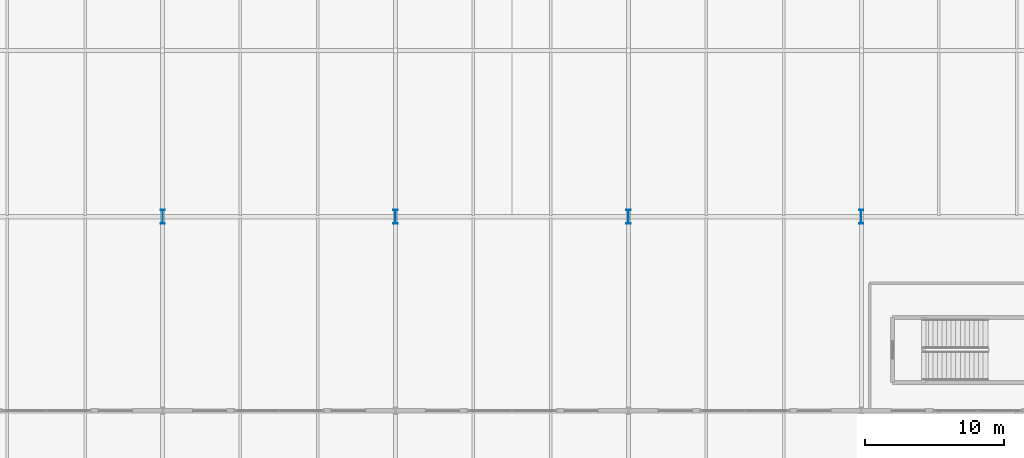
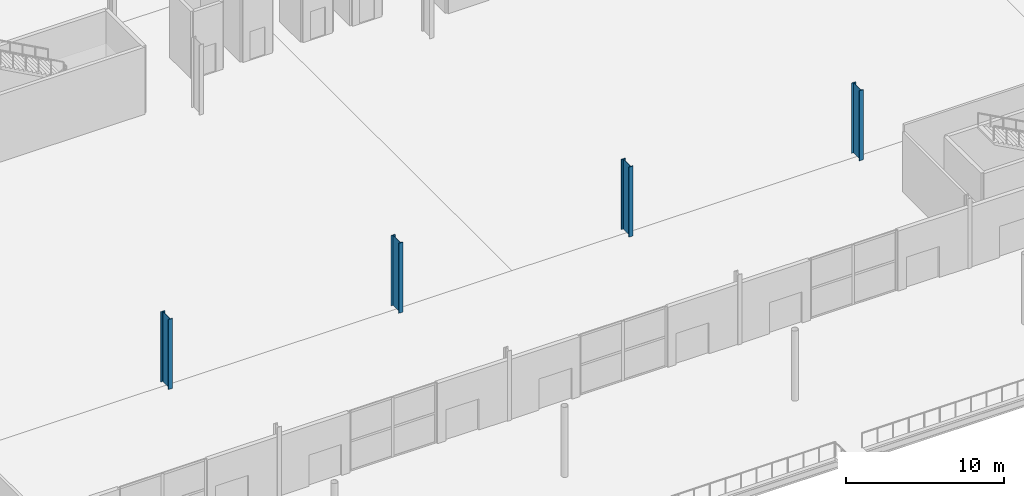
# One storey, part 7 of 87: 4 columns.
"""IFC4 building model written with IfcOpenShell, lengths in metres."""

from ifc_helpers import new_model, si_unit, direction, frame, origin, origin_2d, place, context, subcontext, project, spatial, i_section, extrude, material, material_profile, profile_set, type_object, element, save


model = new_model("IFC4")

# Units and contexts
model_context = context("Model", 3, precision=1e-05, world=origin(), true_north=direction((0.0, 1.0)))
body_context = subcontext(model_context, "Body", "Model", "MODEL_VIEW")
ifc_project = project(units=[si_unit("LENGTHUNIT", "METRE"), si_unit("AREAUNIT", "SQUARE_METRE"), si_unit("VOLUMEUNIT", "CUBIC_METRE"), si_unit("PLANEANGLEUNIT", "RADIAN"), si_unit("MASSUNIT", "GRAM", prefix="KILO")], contexts=[model_context])

# Site, building, storey
site_placement = place(None, origin())
site = spatial("IfcSite", under=ifc_project, at=site_placement, CompositionType="ELEMENT")
building_placement = place(site_placement, origin())
building = spatial("IfcBuilding", under=site, at=building_placement, Name="Kimbaza Rail Terminus", CompositionType="ELEMENT")
storey_placement = place(building_placement, origin())
storey = spatial("IfcBuildingStorey", under=building, at=storey_placement, Name="L00", CompositionType="ELEMENT", Elevation=0.0)

# Columns
ifc_material = material(Name="Steel S355", Category="steel")
ifc_material_profile = material_profile(ifc_material, i_section(OverallWidth=0.302001953125, OverallDepth=1.008056640625, WebThickness=0.02099609375, FlangeThickness=0.0400390625, FilletRadius=0.030029296875, at=origin_2d()), Name="HEM 1000")
ifc_profile_set = profile_set([ifc_material_profile], Name="Steel S355")
column_type = type_object("IfcColumnType", Name="STR-COL-HEM1000", PredefinedType="COLUMN", material=ifc_profile_set)
for number, where, z_axis, x_axis, name in (
    (1, (88.800048828125, 55.0, 0.0), (0.0, 0.0, 1.0), (1.0, 0.0, 0.0), "Ticket Hall Pier L00"),
    (2, (105.60009765625, 55.0, 0.0), (0.0, 0.0, 1.0), (1.0, 0.0, 0.0), "Ticket Hall Pier L00"),
    (3, (122.39990234375, 55.0, 0.0), (0.0, 0.0, 1.0), (1.0, 0.0, 0.0), "Ticket Hall Pier L00"),
    (4, (139.199951171875, 55.0, 0.0), (0.0, 0.0, 1.0), (1.0, 0.0, 0.0), "Ticket Hall Pier L00"),
):
    element("IfcColumn", number, at=place(storey_placement, frame(where, z_axis=z_axis, x_axis=x_axis)), inside=storey, type_object=column_type, Name=name, PredefinedType="COLUMN", context=body_context, shape_type="SweptSolid", body=[
        extrude(i_section(OverallWidth=0.302001953125, OverallDepth=1.008056640625, WebThickness=0.02099609375, FlangeThickness=0.0400390625, FilletRadius=0.030029296875, at=origin_2d()), origin(), (0.0, 0.0, 1.0), 5.39990234375),
    ])

save(model, "model.ifc")
